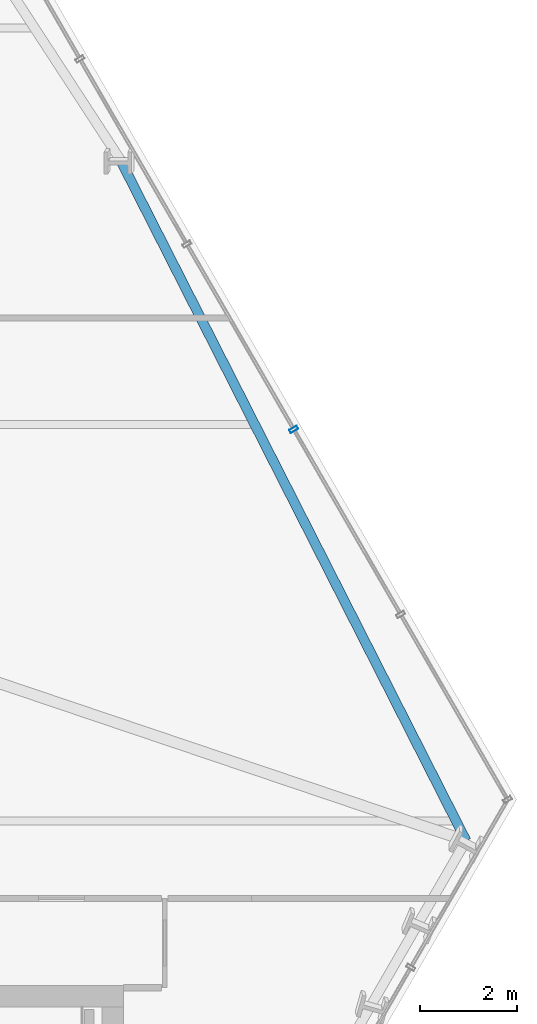
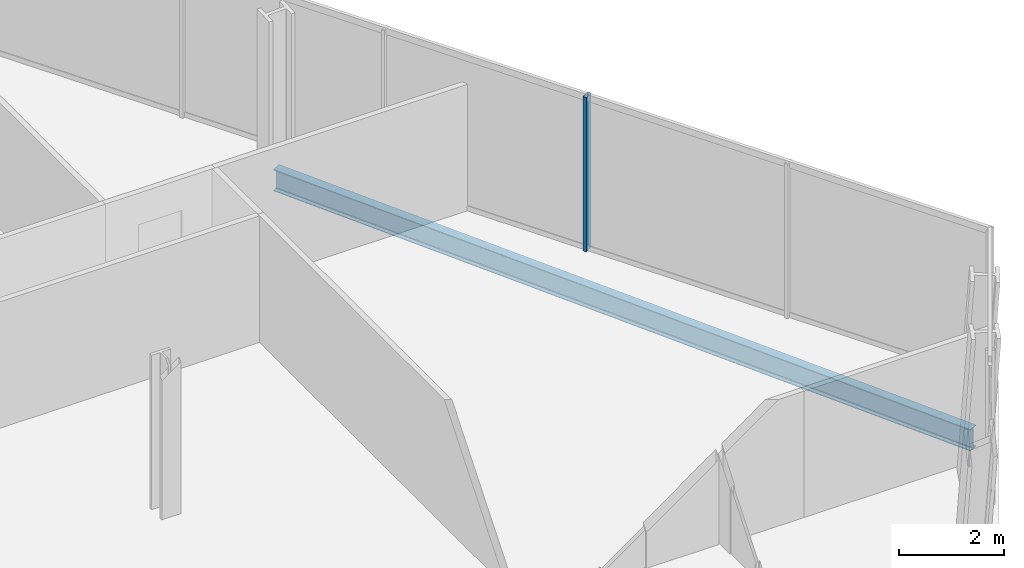
# One storey, part 17 of 32: 1 beam, 1 member, 1 element without a shape of its own.
"""IFC4 building model written with IfcOpenShell, lengths in metres."""

from ifc_helpers import new_model, si_unit, direction, frame, origin, origin_2d, place, context, subcontext, project, spatial, hollow_rectangle, i_section, extrude, material, layer, layer_set, material_profile, profile_set, type_object, element, aggregate, save


model = new_model("IFC4")

# Units and contexts
model_context = context("Model", 3, precision=1e-05, world=origin(), true_north=direction((0.0, 1.0)))
body_context = subcontext(model_context, "Body", "Model", "MODEL_VIEW")
ifc_project = project(units=[si_unit("LENGTHUNIT", "METRE"), si_unit("AREAUNIT", "SQUARE_METRE"), si_unit("VOLUMEUNIT", "CUBIC_METRE"), si_unit("PLANEANGLEUNIT", "RADIAN"), si_unit("MASSUNIT", "GRAM", prefix="KILO")], contexts=[model_context])

# Site, building, storey
site_placement = place(None, origin())
site = spatial("IfcSite", under=ifc_project, at=site_placement, CompositionType="ELEMENT")
building_placement = place(site_placement, origin())
building = spatial("IfcBuilding", under=site, at=building_placement, Name="Ndaravel Arena Tower", CompositionType="ELEMENT")
storey_placement = place(building_placement, frame((0.0, 0.0, 55.0)))
storey = spatial("IfcBuildingStorey", under=building, at=storey_placement, Name="L11", CompositionType="ELEMENT", Elevation=55.0)

# Beam
ifc_material_1 = material(Name="Steel S355", Category="steel")
ifc_material_profile_1 = material_profile(ifc_material_1, i_section(OverallWidth=0.199951171875, OverallDepth=0.5, WebThickness=0.01025390625, FlangeThickness=0.01611328125, FilletRadius=0.02099609375, at=origin_2d()), Name="IPE 500")
ifc_profile_set_1 = profile_set([ifc_material_profile_1], Name="Steel S355")
beam_type = type_object("IfcBeamType", Name="BM-SPAN-IPE500", PredefinedType="SPANDREL", material=ifc_profile_set_1)
beam_placement = place(storey_placement, frame((64.634521484375, 18.19189453125, -0.469970703125), z_axis=(-0.452845189288, 0.891589162416, 0.0), x_axis=(-0.891589162416, -0.452845189288, 0.0)))
element("IfcBeam", 1, at=beam_placement, inside=storey, type_object=beam_type, Name="L11 Perimeter Spandrel Beam SP-09", PredefinedType="SPANDREL", context=body_context, shape_type="SweptSolid", body=[
    extrude(i_section(OverallWidth=0.199951171875, OverallDepth=0.5, WebThickness=0.01025390625, FlangeThickness=0.01611328125, FilletRadius=0.02099609375, at=origin_2d()), origin(), (0.0, 0.0, 1.0), 15.80712890625),
])

# Curtain wall, member
ifc_material_2 = material(Name="Aluminium", Category="aluminium")
ifc_layer = layer(ifc_material_2, 0.179931640625)
ifc_layer_set = layer_set([ifc_layer], Name="Aluminium")
curtain_wall_type = type_object("IfcCurtainWallType", Name="CW-SYS-03", PredefinedType="NOTDEFINED", material=ifc_layer_set)
curtain_wall_placement = place(storey_placement, origin())
curtain_wall = element("IfcCurtainWall", 2, at=curtain_wall_placement, inside=storey, type_object=curtain_wall_type, Name="L11 Faceted Crystal Curtain Wall CW-L11-E03", PredefinedType="NOTDEFINED")
ifc_material_3 = material(Name="Aluminium", Category="aluminium")
ifc_material_profile_2 = material_profile(ifc_material_3, hollow_rectangle(XDim=0.074951171875, YDim=0.179931640625, WallThickness=0.00390625, at=origin_2d()), Name="CW MULLION 75x180x4")
ifc_profile_set_2 = profile_set([ifc_material_profile_2], Name="Aluminium")
member_type = type_object("IfcMemberType", Name="MEM-CW-MUL180", PredefinedType="MULLION", material=ifc_profile_set_2)
member_placement = place(storey_placement, frame((61.0703125, 26.699951171875, 0.0), z_axis=(0.0, 0.0, 1.0), x_axis=(-0.5, 0.866025403784, 0.0)))
member = element("IfcMember", 3, at=member_placement, type_object=member_type, Name="CW-L11-E03 Mullion 02", PredefinedType="MULLION", context=body_context, shape_type="SweptSolid", body=[
    extrude(hollow_rectangle(XDim=0.074951171875, YDim=0.179931640625, WallThickness=0.00390625, at=origin_2d()), origin(), (0.0, 0.0, 1.0), 3.580078125),
])
aggregate(curtain_wall, [member])

save(model, "model.ifc")
